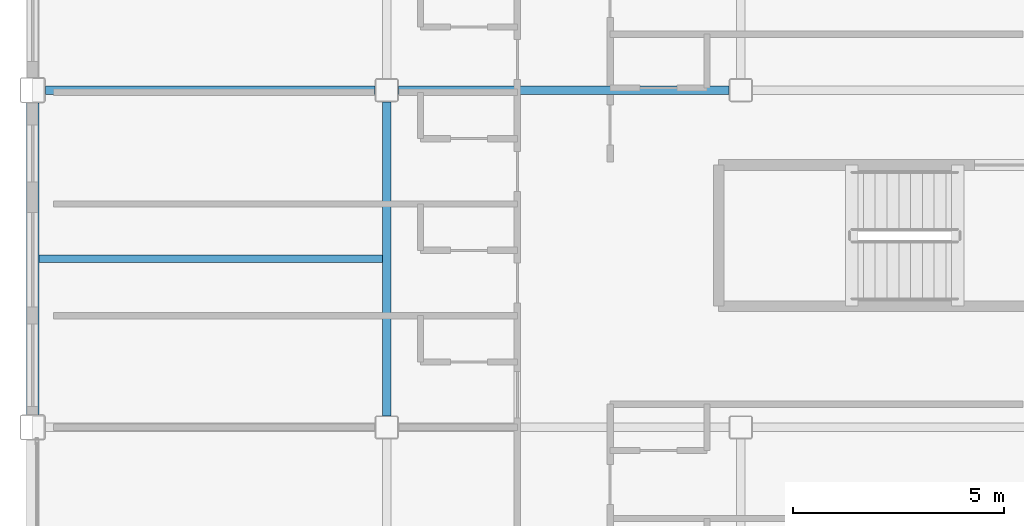
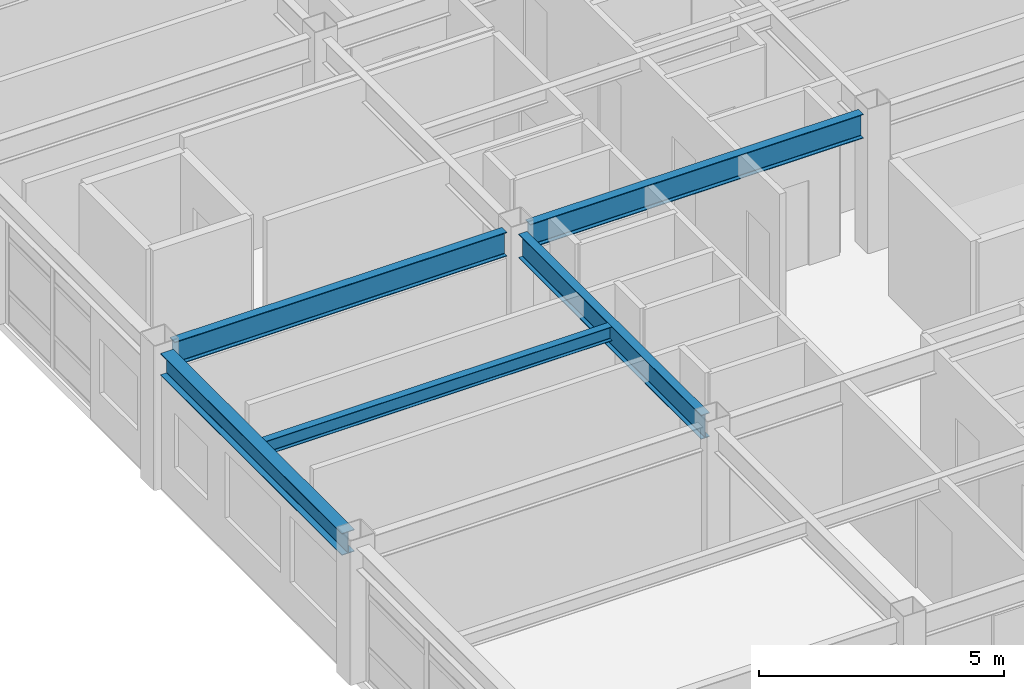
# One storey, part 7 of 36: 5 beams.
"""IFC4 building model written with IfcOpenShell, lengths in metres."""

from ifc_helpers import new_model, si_unit, direction, frame, origin, origin_2d, place, context, subcontext, project, spatial, i_section, extrude, material, material_profile, profile_set, type_object, element, save


model = new_model("IFC4")

# Units and contexts
model_context = context("Model", 3, precision=1e-05, world=origin(), true_north=direction((0.0, 1.0)))
body_context = subcontext(model_context, "Body", "Model", "MODEL_VIEW")
ifc_project = project(units=[si_unit("LENGTHUNIT", "METRE"), si_unit("AREAUNIT", "SQUARE_METRE"), si_unit("VOLUMEUNIT", "CUBIC_METRE"), si_unit("PLANEANGLEUNIT", "RADIAN"), si_unit("MASSUNIT", "GRAM", prefix="KILO")], contexts=[model_context])

# Site, building, storey
site_placement = place(None, origin())
site = spatial("IfcSite", under=ifc_project, at=site_placement, CompositionType="ELEMENT")
building_placement = place(site_placement, origin())
building = spatial("IfcBuilding", under=site, at=building_placement, Name="Kazehara Bluff Congress Hotel", CompositionType="ELEMENT")
storey_placement = place(building_placement, frame((0.0, 0.0, 31.800048828125)))
storey = spatial("IfcBuildingStorey", under=building, at=storey_placement, Name="L07", CompositionType="ELEMENT", Elevation=31.800048828125)

# Beams
ifc_material_1 = material(Name="Steel SN490B", Category="steel")
ifc_material_profile_1 = material_profile(ifc_material_1, i_section(OverallWidth=0.199951171875, OverallDepth=0.60009765625, WebThickness=0.010986328125, FlangeThickness=0.01708984375, FilletRadius=0.012939453125, at=origin_2d()))
ifc_profile_set_1 = profile_set([ifc_material_profile_1], Name="Steel SN490B")
beam_type_1 = type_object("IfcBeamType", Name="TP-G-02", PredefinedType="BEAM", material=ifc_profile_set_1)
beam_1_placement = place(storey_placement, frame((152.10009765625, 16.27490234375, 3.079833984375), z_axis=(0.0, 1.0, 0.0), x_axis=(-1.0, 0.0, 0.0)))
element("IfcBeam", 1, at=beam_1_placement, inside=storey, type_object=beam_type_1, Name="L07 girder G-02 12", PredefinedType="BEAM", context=body_context, shape_type="SweptSolid", body=[
    extrude(i_section(OverallWidth=0.199951171875, OverallDepth=0.60009765625, WebThickness=0.010986328125, FlangeThickness=0.01708984375, FilletRadius=0.012939453125, at=origin_2d()), origin(), (0.0, 0.0, 1.0), 7.4501953125),
])
beam_2_placement = place(storey_placement, frame((144.0, 24.0, 3.079833984375), z_axis=(1.0, 0.0, 0.0), x_axis=(0.0, 1.0, 0.0)))
element("IfcBeam", 2, at=beam_2_placement, inside=storey, type_object=beam_type_1, Name="L07 girder G-02 42", PredefinedType="BEAM", context=body_context, shape_type="SweptSolid", body=[
    extrude(i_section(OverallWidth=0.199951171875, OverallDepth=0.60009765625, WebThickness=0.010986328125, FlangeThickness=0.01708984375, FilletRadius=0.012939453125, at=origin_2d()), origin(), (0.0, 0.0, 1.0), 7.824951171875),
])
beam_3_placement = place(storey_placement, frame((152.375, 24.0, 3.079833984375), z_axis=(1.0, 0.0, 0.0), x_axis=(0.0, 1.0, 0.0)))
element("IfcBeam", 3, at=beam_3_placement, inside=storey, type_object=beam_type_1, Name="L07 girder G-02 43", PredefinedType="BEAM", context=body_context, shape_type="SweptSolid", body=[
    extrude(i_section(OverallWidth=0.199951171875, OverallDepth=0.60009765625, WebThickness=0.010986328125, FlangeThickness=0.01708984375, FilletRadius=0.012939453125, at=origin_2d()), origin(), (0.0, 0.0, 1.0), 7.85009765625),
])
ifc_material_2 = material(Name="Steel SN400B", Category="steel")
ifc_material_profile_2 = material_profile(ifc_material_2, i_section(OverallWidth=0.175048828125, OverallDepth=0.35009765625, WebThickness=0.007080078125, FlangeThickness=0.010986328125, FilletRadius=0.012939453125, at=origin_2d()))
ifc_profile_set_2 = profile_set([ifc_material_profile_2], Name="Steel SN400B")
beam_type_2 = type_object("IfcBeamType", Name="TP-J-02", PredefinedType="JOIST", material=ifc_profile_set_2)
beam_4_placement = place(storey_placement, frame((143.85009765625, 20.0, 3.204833984375), z_axis=(1.0, 0.0, 0.0), x_axis=(0.0, 1.0, 0.0)))
element("IfcBeam", 4, at=beam_4_placement, inside=storey, type_object=beam_type_2, Name="L07 secondary joist J-02 2", PredefinedType="JOIST", context=body_context, shape_type="SweptSolid", body=[
    extrude(i_section(OverallWidth=0.175048828125, OverallDepth=0.35009765625, WebThickness=0.007080078125, FlangeThickness=0.010986328125, FilletRadius=0.012939453125, at=origin_2d()), origin(), (0.0, 0.0, 1.0), 8.14990234375),
])
ifc_material_3 = material(Name="Steel SN490B", Category="steel")
ifc_material_profile_3 = material_profile(ifc_material_3, i_section(OverallWidth=0.300048828125, OverallDepth=0.550048828125, WebThickness=0.010986328125, FlangeThickness=0.01806640625, FilletRadius=0.012939453125, at=origin_2d()))
ifc_profile_set_3 = profile_set([ifc_material_profile_3], Name="Steel SN490B")
beam_type_3 = type_object("IfcBeamType", Name="TP-SP-01", PredefinedType="SPANDREL", material=ifc_profile_set_3)
beam_5_placement = place(storey_placement, frame((143.699951171875, 16.300048828125, 3.10498046875), z_axis=(0.0, 1.0, 0.0), x_axis=(-1.0, 0.0, 0.0)))
element("IfcBeam", 5, at=beam_5_placement, inside=storey, type_object=beam_type_3, Name="L07 girder SP-01 2", PredefinedType="SPANDREL", context=body_context, shape_type="SweptSolid", body=[
    extrude(i_section(OverallWidth=0.300048828125, OverallDepth=0.550048828125, WebThickness=0.010986328125, FlangeThickness=0.01806640625, FilletRadius=0.012939453125, at=origin_2d()), origin(), (0.0, 0.0, 1.0), 7.39990234375),
])

save(model, "model.ifc")
